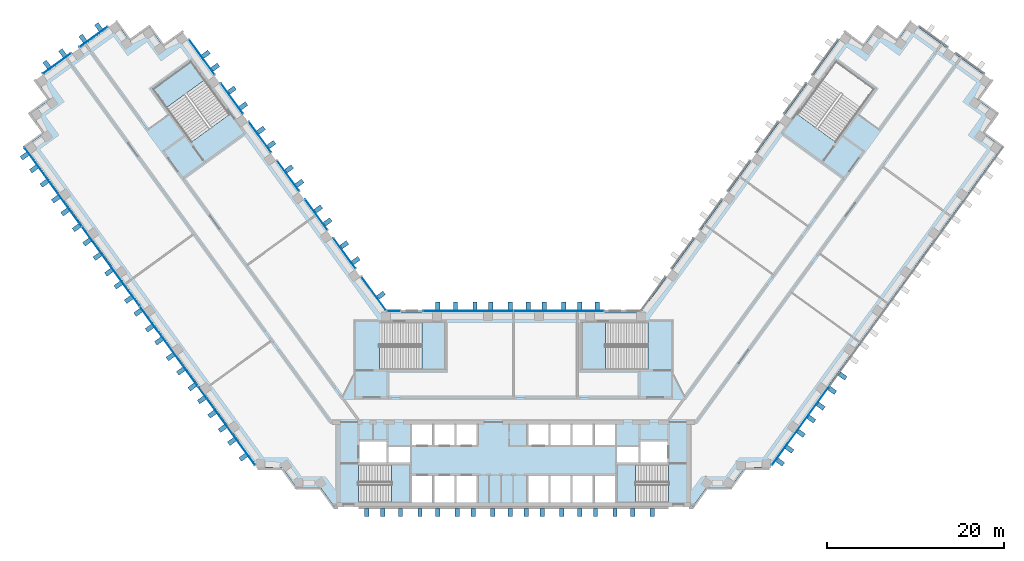
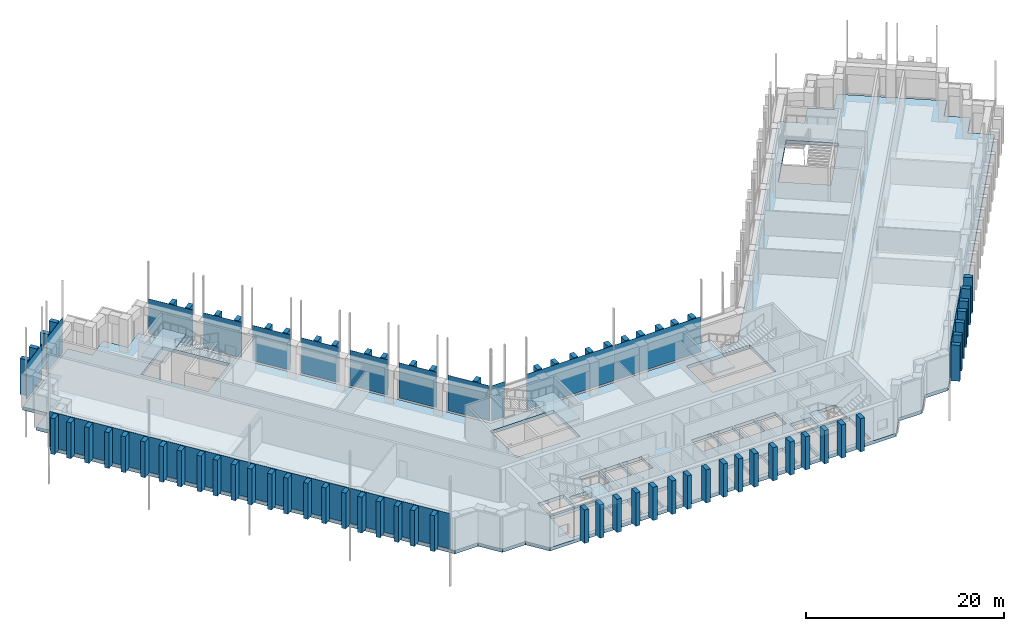
# One storey, part 7 of 18: 90 plates, 6 slabs, 18 elements without a shape of their own.
"""IFC4 building model written with IfcOpenShell, lengths in metres."""

from ifc_helpers import new_model, si_unit, direction, frame, origin, origin_2d, place, context, subcontext, project, spatial, polyline, rectangle, outline, extrude, material, layer, layer_set, type_object, element, aggregate, save


model = new_model("IFC4")

# Units and contexts
model_context = context("Model", 3, precision=1e-05, world=origin(), true_north=direction((0.0, 1.0)))
body_context = subcontext(model_context, "Body", "Model", "MODEL_VIEW")
ifc_project = project(units=[si_unit("LENGTHUNIT", "METRE"), si_unit("AREAUNIT", "SQUARE_METRE"), si_unit("VOLUMEUNIT", "CUBIC_METRE"), si_unit("PLANEANGLEUNIT", "RADIAN"), si_unit("MASSUNIT", "GRAM", prefix="KILO")], contexts=[model_context])

# Site, building, storey
site_placement = place(None, origin())
site = spatial("IfcSite", under=ifc_project, at=site_placement, CompositionType="ELEMENT")
building_placement = place(site_placement, origin())
building = spatial("IfcBuilding", under=site, at=building_placement, Name="Quipu Civic Tower", CompositionType="ELEMENT")
storey_placement = place(building_placement, frame((0.0, 0.0, 16.0)))
storey = spatial("IfcBuildingStorey", under=building, at=storey_placement, Name="L03", CompositionType="ELEMENT", Elevation=16.0)

# Slab
ifc_material_1 = material(Name="Concrete C40/50", Category="concrete")
ifc_layer_1 = layer(ifc_material_1, 0.39990234375)
ifc_layer_set_1 = layer_set([ifc_layer_1], Name="Concrete C40/50")
slab_type_1 = type_object("IfcSlabType", Name="Floor slab 400 C40/50", PredefinedType="FLOOR", material=ifc_layer_set_1)
slab_1_placement = place(storey_placement, frame((0.0, 0.0, -0.39990234375)))
element("IfcSlab", 1, at=slab_1_placement, inside=storey, type_object=slab_type_1, Name="Floor slab L03", PredefinedType="FLOOR", context=body_context, shape_type="SweptSolid", body=[
    extrude(outline(polyline([(37.31494140625, 42.550048828125), (39.5, 40.9599609375), (41.0849609375, 43.14501953125), (43.27001953125, 41.56005859375), (44.860107421875, 43.739990234375), (53.919921875, 37.159912109375), (52.3349609375, 34.97509765625), (54.514892578125, 33.389892578125), (52.929931640625, 31.205078125), (55.114990234375, 29.614990234375), (28.780029296875, -6.6298828125), (26.080078125, -6.6298828125), (24.489990234375, -8.81494140625), (21.7900390625, -8.81494140625), (20.205078125, -11.0), (-20.205078125, -11.0), (-21.7900390625, -8.81494140625), (-24.489990234375, -8.81494140625), (-26.080078125, -6.6298828125), (-28.780029296875, -6.6298828125), (-55.114990234375, 29.614990234375), (-52.929931640625, 31.205078125), (-54.514892578125, 33.389892578125), (-52.3349609375, 34.97509765625), (-53.919921875, 37.159912109375), (-44.860107421875, 43.739990234375), (-43.27001953125, 41.56005859375), (-41.0849609375, 43.14501953125), (-39.5, 40.9599609375), (-37.31494140625, 42.550048828125), (-14.39501953125, 11.0), (14.39501953125, 11.0), (37.31494140625, 42.550048828125)]), holes=[polyline([(-11.449951171875, -7.5), (-11.449951171875, -10.5), (-9.14990234375, -10.5), (-9.14990234375, -7.5), (-11.449951171875, -7.5)]), polyline([(-6.64990234375, -7.5), (-8.949951171875, -7.5), (-8.949951171875, -10.5), (-6.64990234375, -10.5), (-6.64990234375, -7.5)]), polyline([(-4.14990234375, -7.5), (-6.449951171875, -7.5), (-6.449951171875, -10.5), (-4.14990234375, -10.5), (-4.14990234375, -7.5)]), polyline([(1.64990234375, -7.5), (1.64990234375, -10.5), (3.949951171875, -10.5), (3.949951171875, -7.5), (1.64990234375, -7.5)]), polyline([(-11.705078125, -10.4951171875), (-11.705078125, -6.2548828125), (-17.4951171875, -6.2548828125), (-17.4951171875, -10.4951171875), (-11.705078125, -10.4951171875)]), polyline([(-11.699951171875, -4.25), (-14.10009765625, -4.25), (-14.10009765625, -6.0), (-11.699951171875, -6.0), (-11.699951171875, -4.25)]), polyline([(-17.35009765625, -3.60009765625), (-17.35009765625, -6.0), (-14.35009765625, -6.0), (-14.35009765625, -3.60009765625), (-17.35009765625, -3.60009765625)]), polyline([(-9.14990234375, -1.699951171875), (-11.449951171875, -1.699951171875), (-11.449951171875, -4.0), (-9.14990234375, -4.0), (-9.14990234375, -1.699951171875)]), polyline([(-6.64990234375, -1.699951171875), (-8.949951171875, -1.699951171875), (-8.949951171875, -4.0), (-6.64990234375, -4.0), (-6.64990234375, -1.699951171875)]), polyline([(-6.449951171875, -1.699951171875), (-6.449951171875, -4.0), (-4.14990234375, -4.0), (-4.14990234375, -1.699951171875), (-6.449951171875, -1.699951171875)]), polyline([(-7.7548828125, 4.5048828125), (-7.7548828125, 9.844970703125), (-15.14501953125, 9.844970703125), (-15.14501953125, 4.5048828125), (-7.7548828125, 4.5048828125)]), polyline([(-36.364990234375, 39.27490234375), (-40.68505859375, 36.135009765625), (-36.344970703125, 30.159912109375), (-32.02490234375, 33.300048828125), (-36.364990234375, 39.27490234375)]), polyline([(4.14990234375, -7.5), (4.14990234375, -10.5), (6.449951171875, -10.5), (6.449951171875, -7.5), (4.14990234375, -7.5)]), polyline([(8.949951171875, -7.5), (6.64990234375, -7.5), (6.64990234375, -10.5), (8.949951171875, -10.5), (8.949951171875, -7.5)]), polyline([(11.449951171875, -7.5), (9.14990234375, -7.5), (9.14990234375, -10.5), (11.449951171875, -10.5), (11.449951171875, -7.5)]), polyline([(11.705078125, -10.4951171875), (17.4951171875, -10.4951171875), (17.4951171875, -6.2548828125), (11.705078125, -6.2548828125), (11.705078125, -10.4951171875)]), polyline([(14.10009765625, -4.25), (11.699951171875, -4.25), (11.699951171875, -6.0), (14.10009765625, -6.0), (14.10009765625, -4.25)]), polyline([(17.35009765625, -3.60009765625), (14.35009765625, -3.60009765625), (14.35009765625, -6.0), (17.35009765625, -6.0), (17.35009765625, -3.60009765625)]), polyline([(1.64990234375, -1.699951171875), (1.64990234375, -4.0), (3.949951171875, -4.0), (3.949951171875, -1.699951171875), (1.64990234375, -1.699951171875)]), polyline([(6.449951171875, -1.699951171875), (4.14990234375, -1.699951171875), (4.14990234375, -4.0), (6.449951171875, -4.0), (6.449951171875, -1.699951171875)]), polyline([(8.949951171875, -1.699951171875), (6.64990234375, -1.699951171875), (6.64990234375, -4.0), (8.949951171875, -4.0), (8.949951171875, -1.699951171875)]), polyline([(9.14990234375, -1.699951171875), (9.14990234375, -4.0), (11.449951171875, -4.0), (11.449951171875, -1.699951171875), (9.14990234375, -1.699951171875)]), polyline([(7.7548828125, 9.844970703125), (7.7548828125, 4.5048828125), (15.14501953125, 4.5048828125), (15.14501953125, 9.844970703125), (7.7548828125, 9.844970703125)]), polyline([(40.68505859375, 36.135009765625), (36.364990234375, 39.27490234375), (32.02490234375, 33.300048828125), (36.344970703125, 30.159912109375), (40.68505859375, 36.135009765625)])]), origin(), (0.0, 0.0, 1.0), 0.39990234375),
])

# Curtain wall, plate
ifc_material_2 = material(Name="Insulated glass unit", Category="glass")
curtain_wall_type = type_object("IfcCurtainWallType", Name="Public services curtain wall CW3", PredefinedType="NOTDEFINED", material=ifc_material_2)
curtain_wall_1_placement = place(storey_placement, origin())
curtain_wall_1 = element("IfcCurtainWall", 2, at=curtain_wall_1_placement, inside=storey, type_object=curtain_wall_type, Name="Public services curtain wall CW3 L02 run 1", PredefinedType="NOTDEFINED")
ifc_material_3 = material(Name="Insulated glass unit", Category="glass")
ifc_layer_2 = layer(ifc_material_3, 0.031982421875)
ifc_layer_set_2 = layer_set([ifc_layer_2], Name="Insulated glass unit")
plate_type_1 = type_object("IfcPlateType", Name="Glass panel CW3", PredefinedType="CURTAIN_PANEL", material=ifc_layer_set_2)
plate_1_placement = place(storey_placement, frame((-15.769287109375, 13.0615234375, 0.14013671875), z_axis=(0.0, 0.0, 1.0), x_axis=(-0.587795194797, 0.809009770629, 0.0)))
plate_1 = element("IfcPlate", 3, at=plate_1_placement, type_object=plate_type_1, Name="CW3 panel 1.2", PredefinedType="CURTAIN_PANEL", context=body_context, shape_type="SweptSolid", body=[
    extrude(rectangle(XDim=4.649169921875, YDim=0.031982421875, at=origin_2d()), origin(), (0.0, 0.0, 1.0), 4.360107421875),
])
aggregate(curtain_wall_1, [plate_1])

curtain_wall_2_placement = place(storey_placement, origin())
curtain_wall_2 = element("IfcCurtainWall", 4, at=curtain_wall_2_placement, inside=storey, type_object=curtain_wall_type, Name="Public services curtain wall CW3 L02 run 2", PredefinedType="NOTDEFINED")
plate_2_placement = place(storey_placement, frame((-19.075439453125, 17.61181640625, 0.14013671875), z_axis=(0.0, 0.0, 1.0), x_axis=(-0.587800011079, 0.809006271283, 0.0)))
plate_2 = element("IfcPlate", 5, at=plate_2_placement, type_object=plate_type_1, Name="CW3 panel 1.2", PredefinedType="CURTAIN_PANEL", context=body_context, shape_type="SweptSolid", body=[
    extrude(rectangle(XDim=4.199951171875, YDim=0.031982421875, at=origin_2d()), origin(), (0.0, 0.0, 1.0), 4.360107421875),
])
aggregate(curtain_wall_2, [plate_2])

curtain_wall_3_placement = place(storey_placement, origin())
curtain_wall_3 = element("IfcCurtainWall", 6, at=curtain_wall_3_placement, inside=storey, type_object=curtain_wall_type, Name="Public services curtain wall CW3 L02 run 3", PredefinedType="NOTDEFINED")
plate_3_placement = place(storey_placement, frame((-22.24951171875, 21.98046875, 0.14013671875), z_axis=(0.0, 0.0, 1.0), x_axis=(-0.587774328321, 0.809024930992, 0.0)))
plate_3 = element("IfcPlate", 7, at=plate_3_placement, type_object=plate_type_1, Name="CW3 panel 1.2", PredefinedType="CURTAIN_PANEL", context=body_context, shape_type="SweptSolid", body=[
    extrude(rectangle(XDim=4.199951171875, YDim=0.031982421875, at=origin_2d()), origin(), (0.0, 0.0, 1.0), 4.360107421875),
])
aggregate(curtain_wall_3, [plate_3])

curtain_wall_4_placement = place(storey_placement, origin())
curtain_wall_4 = element("IfcCurtainWall", 8, at=curtain_wall_4_placement, inside=storey, type_object=curtain_wall_type, Name="Public services curtain wall CW3 L02 run 4", PredefinedType="NOTDEFINED")
plate_4_placement = place(storey_placement, frame((-25.42333984375, 26.349365234375, 0.14013671875), z_axis=(0.0, 0.0, 1.0), x_axis=(-0.587789203544, 0.809014123608, 0.0)))
plate_4 = element("IfcPlate", 9, at=plate_4_placement, type_object=plate_type_1, Name="CW3 panel 1.2", PredefinedType="CURTAIN_PANEL", context=body_context, shape_type="SweptSolid", body=[
    extrude(rectangle(XDim=4.199951171875, YDim=0.031982421875, at=origin_2d()), origin(), (0.0, 0.0, 1.0), 4.360107421875),
])
aggregate(curtain_wall_4, [plate_4])

curtain_wall_5_placement = place(storey_placement, origin())
curtain_wall_5 = element("IfcCurtainWall", 10, at=curtain_wall_5_placement, inside=storey, type_object=curtain_wall_type, Name="Public services curtain wall CW3 L02 run 5", PredefinedType="NOTDEFINED")
plate_5_placement = place(storey_placement, frame((-28.597412109375, 30.718017578125, 0.14013671875), z_axis=(0.0, 0.0, 1.0), x_axis=(-0.587785135859, 0.809017078969, 0.0)))
plate_5 = element("IfcPlate", 11, at=plate_5_placement, type_object=plate_type_1, Name="CW3 panel 1.2", PredefinedType="CURTAIN_PANEL", context=body_context, shape_type="SweptSolid", body=[
    extrude(rectangle(XDim=4.199951171875, YDim=0.031982421875, at=origin_2d()), origin(), (0.0, 0.0, 1.0), 4.360107421875),
])
aggregate(curtain_wall_5, [plate_5])

curtain_wall_6_placement = place(storey_placement, origin())
curtain_wall_6 = element("IfcCurtainWall", 12, at=curtain_wall_6_placement, inside=storey, type_object=curtain_wall_type, Name="Public services curtain wall CW3 L02 run 6", PredefinedType="NOTDEFINED")
plate_6_placement = place(storey_placement, frame((-31.771484375, 35.086669921875, 0.14013671875), z_axis=(0.0, 0.0, 1.0), x_axis=(-0.587789203544, 0.809014123608, 0.0)))
plate_6 = element("IfcPlate", 13, at=plate_6_placement, type_object=plate_type_1, Name="CW3 panel 1.2", PredefinedType="CURTAIN_PANEL", context=body_context, shape_type="SweptSolid", body=[
    extrude(rectangle(XDim=4.199951171875, YDim=0.031982421875, at=origin_2d()), origin(), (0.0, 0.0, 1.0), 4.360107421875),
])
aggregate(curtain_wall_6, [plate_6])

curtain_wall_7_placement = place(storey_placement, origin())
curtain_wall_7 = element("IfcCurtainWall", 14, at=curtain_wall_7_placement, inside=storey, type_object=curtain_wall_type, Name="Public services curtain wall CW3 L02 run 7", PredefinedType="NOTDEFINED")
plate_7_placement = place(storey_placement, frame((-35.149658203125, 39.736328125, 0.14013671875), z_axis=(0.0, 0.0, 1.0), x_axis=(-0.587782980465, 0.809018644949, 0.0)))
plate_7 = element("IfcPlate", 15, at=plate_7_placement, type_object=plate_type_1, Name="CW3 panel 1.2", PredefinedType="CURTAIN_PANEL", context=body_context, shape_type="SweptSolid", body=[
    extrude(rectangle(XDim=4.89453125, YDim=0.031982421875, at=origin_2d()), origin(), (0.0, 0.0, 1.0), 4.360107421875),
])
aggregate(curtain_wall_7, [plate_7])

curtain_wall_8_placement = place(storey_placement, origin())
curtain_wall_8 = element("IfcCurtainWall", 16, at=curtain_wall_8_placement, inside=storey, type_object=curtain_wall_type, Name="Public services curtain wall CW3 L02 run 12", PredefinedType="NOTDEFINED")
plate_8_placement = place(storey_placement, frame((-47.385009765625, 42.03076171875, 0.14013671875), z_axis=(0.0, 0.0, 1.0), x_axis=(-0.809030241342, -0.587767018974, 0.0)))
plate_8 = element("IfcPlate", 17, at=plate_8_placement, type_object=plate_type_1, Name="CW3 panel 1.2", PredefinedType="CURTAIN_PANEL", context=body_context, shape_type="SweptSolid", body=[
    extrude(rectangle(XDim=3.900146484375, YDim=0.031982421875, at=origin_2d()), origin(), (0.0, 0.0, 1.0), 4.360107421875),
])
aggregate(curtain_wall_8, [plate_8])

curtain_wall_9_placement = place(storey_placement, origin())
curtain_wall_9 = element("IfcCurtainWall", 18, at=curtain_wall_9_placement, inside=storey, type_object=curtain_wall_type, Name="Public services curtain wall CW3 L02 run 13", PredefinedType="NOTDEFINED")
plate_9_placement = place(storey_placement, frame((-51.51025390625, 39.033447265625, 0.14013671875), z_axis=(0.0, 0.0, 1.0), x_axis=(-0.809014568883, -0.587788590681, 0.0)))
plate_9 = element("IfcPlate", 19, at=plate_9_placement, type_object=plate_type_1, Name="CW3 panel 1.2", PredefinedType="CURTAIN_PANEL", context=body_context, shape_type="SweptSolid", body=[
    extrude(rectangle(XDim=3.898193359375, YDim=0.031982421875, at=origin_2d()), origin(), (0.0, 0.0, 1.0), 4.360107421875),
])
aggregate(curtain_wall_9, [plate_9])

# Curtain wall, plates
curtain_wall_10_placement = place(storey_placement, origin())
curtain_wall_10 = element("IfcCurtainWall", 20, at=curtain_wall_10_placement, inside=storey, type_object=curtain_wall_type, Name="Public services curtain wall CW3 L02 run 18", PredefinedType="NOTDEFINED")
plate_10_placement = place(storey_placement, frame((-51.970947265625, 25.11962890625, 0.14013671875), z_axis=(0.0, 0.0, 1.0), x_axis=(0.587785356329, -0.809016918788, 0.0)))
plate_10 = element("IfcPlate", 21, at=plate_10_placement, type_object=plate_type_1, Name="CW3 panel 1.2", PredefinedType="CURTAIN_PANEL", context=body_context, shape_type="SweptSolid", body=[
    extrude(rectangle(XDim=10.971435546875, YDim=0.031982421875, at=origin_2d()), origin(), (0.0, 0.0, 1.0), 4.360107421875),
])
plate_11_placement = place(storey_placement, frame((-45.448486328125, 16.142333984375, 0.14013671875), z_axis=(0.0, 0.0, 1.0), x_axis=(0.587785356329, -0.809016918788, 0.0)))
plate_11 = element("IfcPlate", 22, at=plate_11_placement, type_object=plate_type_1, Name="CW3 panel 2.2", PredefinedType="CURTAIN_PANEL", context=body_context, shape_type="SweptSolid", body=[
    extrude(rectangle(XDim=11.021484375, YDim=0.031982421875, at=origin_2d()), origin(), (0.0, 0.0, 1.0), 4.360107421875),
])
plate_12_placement = place(storey_placement, frame((-38.911376953125, 7.14501953125, 0.14013671875), z_axis=(0.0, 0.0, 1.0), x_axis=(0.587785356329, -0.809016918788, 0.0)))
plate_12 = element("IfcPlate", 23, at=plate_12_placement, type_object=plate_type_1, Name="CW3 panel 3.2", PredefinedType="CURTAIN_PANEL", context=body_context, shape_type="SweptSolid", body=[
    extrude(rectangle(XDim=11.021484375, YDim=0.031982421875, at=origin_2d()), origin(), (0.0, 0.0, 1.0), 4.360107421875),
])
plate_13_placement = place(storey_placement, frame((-32.38916015625, -1.832275390625, 0.14013671875), z_axis=(0.0, 0.0, 1.0), x_axis=(0.587785356329, -0.809016918788, 0.0)))
plate_13 = element("IfcPlate", 24, at=plate_13_placement, type_object=plate_type_1, Name="CW3 panel 4.2", PredefinedType="CURTAIN_PANEL", context=body_context, shape_type="SweptSolid", body=[
    extrude(rectangle(XDim=10.971435546875, YDim=0.031982421875, at=origin_2d()), origin(), (0.0, 0.0, 1.0), 4.360107421875),
])
aggregate(curtain_wall_10, [plate_10, plate_11, plate_12, plate_13])

# Curtain wall, plate
curtain_wall_11_placement = place(storey_placement, origin())
curtain_wall_11 = element("IfcCurtainWall", 25, at=curtain_wall_11_placement, inside=storey, type_object=curtain_wall_type, Name="Public services curtain wall CW3 L02 run 32", PredefinedType="NOTDEFINED")
plate_14_placement = place(storey_placement, frame((32.38916015625, -1.832275390625, 0.14013671875), z_axis=(0.0, 0.0, 1.0), x_axis=(0.587785356329, 0.809016918788, 0.0)))
plate_14 = element("IfcPlate", 26, at=plate_14_placement, type_object=plate_type_1, Name="CW3 panel 1.2", PredefinedType="CURTAIN_PANEL", context=body_context, shape_type="SweptSolid", body=[
    extrude(rectangle(XDim=10.971435546875, YDim=0.031982421875, at=origin_2d()), origin(), (0.0, 0.0, 1.0), 4.360107421875),
])
aggregate(curtain_wall_11, [plate_14])

# Curtain wall, plates
curtain_wall_12_placement = place(storey_placement, origin())
curtain_wall_12 = element("IfcCurtainWall", 27, at=curtain_wall_12_placement, inside=storey, type_object=curtain_wall_type, Name="Public services curtain wall CW3 L02 run 52", PredefinedType="NOTDEFINED")
plate_15_placement = place(storey_placement, frame((5.106689453125, 11.10009765625, 0.14013671875), z_axis=(0.0, 0.0, 1.0), x_axis=(-1.0, 0.0, 0.0)))
plate_15 = element("IfcPlate", 28, at=plate_15_placement, type_object=plate_type_1, Name="CW3 panel 1.2", PredefinedType="CURTAIN_PANEL", context=body_context, shape_type="SweptSolid", body=[
    extrude(rectangle(XDim=10.113525390625, YDim=0.031982421875, at=origin_2d()), origin(), (0.0, 0.0, 1.0), 4.360107421875),
])
plate_16_placement = place(storey_placement, frame((-5.106689453125, 11.10009765625, 0.14013671875), z_axis=(0.0, 0.0, 1.0), x_axis=(-1.0, 0.0, 0.0)))
plate_16 = element("IfcPlate", 29, at=plate_16_placement, type_object=plate_type_1, Name="CW3 panel 2.2", PredefinedType="CURTAIN_PANEL", context=body_context, shape_type="SweptSolid", body=[
    extrude(rectangle(XDim=10.113525390625, YDim=0.031982421875, at=origin_2d()), origin(), (0.0, 0.0, 1.0), 4.360107421875),
])
aggregate(curtain_wall_12, [plate_15, plate_16])

# Curtain wall, plate
curtain_wall_13_placement = place(storey_placement, origin())
curtain_wall_13 = element("IfcCurtainWall", 30, at=curtain_wall_13_placement, inside=storey, type_object=curtain_wall_type, Name="Public services curtain wall CW3 L02 run 54", PredefinedType="NOTDEFINED")
plate_17_placement = place(storey_placement, frame((-13.49951171875, 11.10009765625, 0.14013671875), z_axis=(0.0, 0.0, 1.0), x_axis=(-1.0, 0.0, 0.0)))
plate_17 = element("IfcPlate", 31, at=plate_17_placement, type_object=plate_type_1, Name="CW3 panel 1.2", PredefinedType="CURTAIN_PANEL", context=body_context, shape_type="SweptSolid", body=[
    extrude(rectangle(XDim=1.4892578125, YDim=0.031982421875, at=origin_2d()), origin(), (0.0, 0.0, 1.0), 4.360107421875),
])
aggregate(curtain_wall_13, [plate_17])

# Plates
ifc_material_4 = material(Name="Precast concrete C40/50", Category="concrete")
plate_type_2 = type_object("IfcPlateType", Name="Precast fin F0", PredefinedType="SHEET", material=ifc_material_4)
for number, where, z_axis, x_axis, name in (
    (32, (-14.956787109375, 12.878662109375, 0.06982421875), (0.0, 0.0, 1.0), (-0.587784944053, 0.809017218324, 0.0), "Precast fin F0 L03.P01.1"),
    (33, (-17.802734375, 16.7958984375, 0.06982421875), (0.0, 0.0, 1.0), (-0.587784944053, 0.809017218324, 0.0), "Precast fin F0 L03.P02.1"),
    (34, (-19.095703125, 18.57568359375, 0.06982421875), (0.0, 0.0, 1.0), (-0.587784944053, 0.809017218324, 0.0), "Precast fin F0 L03.P02.2"),
    (35, (-20.97265625, 21.158935546875, 0.06982421875), (0.0, 0.0, 1.0), (-0.587784944053, 0.809017218324, 0.0), "Precast fin F0 L03.P03.1"),
    (36, (-22.03076171875, 22.615234375, 0.06982421875), (0.0, 0.0, 1.0), (-0.587784944053, 0.809017218324, 0.0), "Precast fin F0 L03.P03.2"),
    (37, (-24.142822265625, 25.522216796875, 0.06982421875), (0.0, 0.0, 1.0), (-0.587784944053, 0.809017218324, 0.0), "Precast fin F0 L03.P04.1"),
    (38, (-25.318359375, 27.14013671875, 0.06982421875), (0.0, 0.0, 1.0), (-0.587784944053, 0.809017218324, 0.0), "Precast fin F0 L03.P04.2"),
    (39, (-27.312744140625, 29.885498046875, 0.06982421875), (0.0, 0.0, 1.0), (-0.587784944053, 0.809017218324, 0.0), "Precast fin F0 L03.P05.1"),
    (40, (-28.488525390625, 31.50341796875, 0.06982421875), (0.0, 0.0, 1.0), (-0.587784944053, 0.809017218324, 0.0), "Precast fin F0 L03.P05.2"),
    (41, (-30.48291015625, 34.24853515625, 0.06982421875), (0.0, 0.0, 1.0), (-0.587784944053, 0.809017218324, 0.0), "Precast fin F0 L03.P06.1"),
    (42, (-31.77587890625, 36.028564453125, 0.06982421875), (0.0, 0.0, 1.0), (-0.587784944053, 0.809017218324, 0.0), "Precast fin F0 L03.P06.2"),
    (43, (-33.65283203125, 38.61181640625, 0.06982421875), (0.0, 0.0, 1.0), (-0.587784944053, 0.809017218324, 0.0), "Precast fin F0 L03.P07.1"),
    (44, (-34.7109375, 40.068115234375, 0.06982421875), (0.0, 0.0, 1.0), (-0.587784944053, 0.809017218324, 0.0), "Precast fin F0 L03.P07.2"),
    (45, (-46.802734375, 43.133544921875, 0.06982421875), (0.0, 0.0, 1.0), (-0.809021318545, -0.587779300537, 0.0), "Precast fin F0 L03.P12.1"),
    (46, (-48.58251953125, 41.84033203125, 0.06982421875), (0.0, 0.0, 1.0), (-0.809021318545, -0.587779300537, 0.0), "Precast fin F0 L03.P12.2"),
    (47, (-50.8564453125, 40.1884765625, 0.06982421875), (0.0, 0.0, 1.0), (-0.809021318545, -0.587779300537, 0.0), "Precast fin F0 L03.P13.1"),
    (48, (-52.63623046875, 38.895263671875, 0.06982421875), (0.0, 0.0, 1.0), (-0.809021318545, -0.587779300537, 0.0), "Precast fin F0 L03.P13.2"),
    (49, (-55.169921875, 28.587158203125, 0.06982421875), (0.0, 0.0, 1.0), (0.587785716149, -0.809016657363, 0.0), "Precast fin F0 L03.P18.1"),
    (50, (-54.112060546875, 27.131103515625, 0.06982421875), (0.0, 0.0, 1.0), (0.587785716149, -0.809016657363, 0.0), "Precast fin F0 L03.P18.2"),
    (51, (-52.9365234375, 25.512939453125, 0.06982421875), (0.0, 0.0, 1.0), (0.587785716149, -0.809016657363, 0.0), "Precast fin F0 L03.P18.3"),
    (52, (-51.643310546875, 23.733154296875, 0.06982421875), (0.0, 0.0, 1.0), (0.587785716149, -0.809016657363, 0.0), "Precast fin F0 L03.P18.4"),
    (53, (-50.585205078125, 22.27685546875, 0.06982421875), (0.0, 0.0, 1.0), (0.587785716149, -0.809016657363, 0.0), "Precast fin F0 L03.P18.5"),
    (54, (-49.292236328125, 20.4970703125, 0.06982421875), (0.0, 0.0, 1.0), (0.587785716149, -0.809016657363, 0.0), "Precast fin F0 L03.P18.6"),
    (55, (-48.11669921875, 18.87890625, 0.06982421875), (0.0, 0.0, 1.0), (0.587785716149, -0.809016657363, 0.0), "Precast fin F0 L03.P18.7"),
    (56, (-46.94091796875, 17.260986328125, 0.06982421875), (0.0, 0.0, 1.0), (0.587785716149, -0.809016657363, 0.0), "Precast fin F0 L03.P18.8"),
    (57, (-45.64794921875, 15.481201171875, 0.06982421875), (0.0, 0.0, 1.0), (0.587785716149, -0.809016657363, 0.0), "Precast fin F0 L03.P18.9"),
    (58, (-44.58984375, 14.02490234375, 0.06982421875), (0.0, 0.0, 1.0), (0.587785716149, -0.809016657363, 0.0), "Precast fin F0 L03.P18.10"),
    (59, (-43.414306640625, 12.406982421875, 0.06982421875), (0.0, 0.0, 1.0), (0.587785716149, -0.809016657363, 0.0), "Precast fin F0 L03.P18.11"),
    (60, (-42.356201171875, 10.95068359375, 0.06982421875), (0.0, 0.0, 1.0), (0.587785716149, -0.809016657363, 0.0), "Precast fin F0 L03.P18.12"),
    (61, (-41.063232421875, 9.1708984375, 0.06982421875), (0.0, 0.0, 1.0), (0.587785716149, -0.809016657363, 0.0), "Precast fin F0 L03.P18.13"),
    (62, (-40.005126953125, 7.714599609375, 0.06982421875), (0.0, 0.0, 1.0), (0.587785716149, -0.809016657363, 0.0), "Precast fin F0 L03.P18.14"),
    (63, (-38.7119140625, 5.934814453125, 0.06982421875), (0.0, 0.0, 1.0), (0.587785716149, -0.809016657363, 0.0), "Precast fin F0 L03.P18.15"),
    (64, (-37.536376953125, 4.316650390625, 0.06982421875), (0.0, 0.0, 1.0), (0.587785716149, -0.809016657363, 0.0), "Precast fin F0 L03.P18.16"),
    (65, (-36.243408203125, 2.536865234375, 0.06982421875), (0.0, 0.0, 1.0), (0.587785716149, -0.809016657363, 0.0), "Precast fin F0 L03.P18.17"),
    (66, (-35.185302734375, 1.08056640625, 0.06982421875), (0.0, 0.0, 1.0), (0.587785716149, -0.809016657363, 0.0), "Precast fin F0 L03.P18.18"),
    (67, (-34.009765625, -0.537353515625, 0.06982421875), (0.0, 0.0, 1.0), (0.587785716149, -0.809016657363, 0.0), "Precast fin F0 L03.P18.19"),
    (68, (-32.834228515625, -2.155517578125, 0.06982421875), (0.0, 0.0, 1.0), (0.587785716149, -0.809016657363, 0.0), "Precast fin F0 L03.P18.20"),
    (69, (-31.776123046875, -3.611572265625, 0.06982421875), (0.0, 0.0, 1.0), (0.587785716149, -0.809016657363, 0.0), "Precast fin F0 L03.P18.21"),
    (70, (-30.48291015625, -5.391357421875, 0.06982421875), (0.0, 0.0, 1.0), (0.587785716149, -0.809016657363, 0.0), "Precast fin F0 L03.P18.22"),
):
    element("IfcPlate", number, at=place(storey_placement, frame(where, z_axis=z_axis, x_axis=x_axis)), inside=storey, type_object=plate_type_2, Name=name, PredefinedType="SHEET", context=body_context, shape_type="SweptSolid", body=[
        extrude(rectangle(XDim=0.5, YDim=0.89990234375, at=origin_2d()), origin(), (0.0, 0.0, 1.0), 4.429931640625),
    ])
for number, where, z_axis, x_axis, name in (
    (71, (-16.550048828125, -11.637939453125, 0.0), (0.0, 0.0, 1.0), (1.0, 0.0, 0.0), "Precast fin F0 L03.P26.1"),
    (72, (-14.75, -11.637939453125, 0.0), (0.0, 0.0, 1.0), (1.0, 0.0, 0.0), "Precast fin F0 L03.P26.2"),
    (73, (-12.75, -11.637939453125, 0.0), (0.0, 0.0, 1.0), (1.0, 0.0, 0.0), "Precast fin F0 L03.P26.3"),
    (74, (-10.550048828125, -11.637939453125, 0.0), (0.0, 0.0, 1.0), (1.0, 0.0, 0.0), "Precast fin F0 L03.P26.4"),
    (75, (-8.550048828125, -11.637939453125, 0.0), (0.0, 0.0, 1.0), (1.0, 0.0, 0.0), "Precast fin F0 L03.P26.5"),
    (76, (-6.35009765625, -11.637939453125, 0.0), (0.0, 0.0, 1.0), (1.0, 0.0, 0.0), "Precast fin F0 L03.P26.6"),
    (77, (-4.550048828125, -11.637939453125, 0.0), (0.0, 0.0, 1.0), (1.0, 0.0, 0.0), "Precast fin F0 L03.P26.7"),
    (78, (-2.35009765625, -11.637939453125, 0.0), (0.0, 0.0, 1.0), (1.0, 0.0, 0.0), "Precast fin F0 L03.P26.8"),
    (79, (-0.35009765625, -11.637939453125, 0.0), (0.0, 0.0, 1.0), (1.0, 0.0, 0.0), "Precast fin F0 L03.P26.9"),
    (80, (1.449951171875, -11.637939453125, 0.0), (0.0, 0.0, 1.0), (1.0, 0.0, 0.0), "Precast fin F0 L03.P26.10"),
    (81, (3.25, -11.637939453125, 0.0), (0.0, 0.0, 1.0), (1.0, 0.0, 0.0), "Precast fin F0 L03.P26.11"),
    (82, (5.449951171875, -11.637939453125, 0.0), (0.0, 0.0, 1.0), (1.0, 0.0, 0.0), "Precast fin F0 L03.P26.12"),
    (83, (7.449951171875, -11.637939453125, 0.0), (0.0, 0.0, 1.0), (1.0, 0.0, 0.0), "Precast fin F0 L03.P26.13"),
    (84, (9.25, -11.637939453125, 0.0), (0.0, 0.0, 1.0), (1.0, 0.0, 0.0), "Precast fin F0 L03.P26.14"),
    (85, (11.449951171875, -11.637939453125, 0.0), (0.0, 0.0, 1.0), (1.0, 0.0, 0.0), "Precast fin F0 L03.P26.15"),
    (86, (13.449951171875, -11.637939453125, 0.0), (0.0, 0.0, 1.0), (1.0, 0.0, 0.0), "Precast fin F0 L03.P26.16"),
    (87, (15.64990234375, -11.637939453125, 0.0), (0.0, 0.0, 1.0), (1.0, 0.0, 0.0), "Precast fin F0 L03.P26.17"),
):
    element("IfcPlate", number, at=place(storey_placement, frame(where, z_axis=z_axis, x_axis=x_axis)), inside=storey, type_object=plate_type_2, Name=name, PredefinedType="SHEET", context=body_context, shape_type="SweptSolid", body=[
        extrude(rectangle(XDim=0.5, YDim=0.89990234375, at=origin_2d()), origin(), (0.0, 0.0, 1.0), 4.10009765625),
    ])
for number, where, z_axis, x_axis, name in (
    (88, (30.079345703125, -5.947021484375, 0.06982421875), (0.0, 0.0, 1.0), (0.587785716149, 0.809016657363, 0.0), "Precast fin F0 L03.P33.1"),
    (89, (31.137451171875, -4.49072265625, 0.06982421875), (0.0, 0.0, 1.0), (0.587785716149, 0.809016657363, 0.0), "Precast fin F0 L03.P33.2"),
    (90, (32.4306640625, -2.7109375, 0.06982421875), (0.0, 0.0, 1.0), (0.587785716149, 0.809016657363, 0.0), "Precast fin F0 L03.P33.3"),
    (91, (33.606201171875, -1.0927734375, 0.06982421875), (0.0, 0.0, 1.0), (0.587785716149, 0.809016657363, 0.0), "Precast fin F0 L03.P33.4"),
    (92, (34.6640625, 0.36328125, 0.06982421875), (0.0, 0.0, 1.0), (0.587785716149, 0.809016657363, 0.0), "Precast fin F0 L03.P33.5"),
    (93, (35.957275390625, 2.143310546875, 0.06982421875), (0.0, 0.0, 1.0), (0.587785716149, 0.809016657363, 0.0), "Precast fin F0 L03.P33.6"),
    (94, (37.1328125, 3.76123046875, 0.06982421875), (0.0, 0.0, 1.0), (0.587785716149, 0.809016657363, 0.0), "Precast fin F0 L03.P33.7"),
    (95, (9.449951171875, 11.64990234375, 0.06982421875), (0.0, 0.0, 1.0), (-1.0, 0.0, 0.0), "Precast fin F0 L03.P53.1"),
    (96, (7.449951171875, 11.64990234375, 0.06982421875), (0.0, 0.0, 1.0), (-1.0, 0.0, 0.0), "Precast fin F0 L03.P53.2"),
    (97, (5.64990234375, 11.64990234375, 0.06982421875), (0.0, 0.0, 1.0), (-1.0, 0.0, 0.0), "Precast fin F0 L03.P53.3"),
    (98, (3.449951171875, 11.64990234375, 0.06982421875), (0.0, 0.0, 1.0), (-1.0, 0.0, 0.0), "Precast fin F0 L03.P53.4"),
    (99, (1.64990234375, 11.64990234375, 0.06982421875), (0.0, 0.0, 1.0), (-1.0, 0.0, 0.0), "Precast fin F0 L03.P53.5"),
    (100, (-0.35009765625, 11.64990234375, 0.06982421875), (0.0, 0.0, 1.0), (-1.0, 0.0, 0.0), "Precast fin F0 L03.P53.6"),
    (101, (-2.550048828125, 11.64990234375, 0.06982421875), (0.0, 0.0, 1.0), (-1.0, 0.0, 0.0), "Precast fin F0 L03.P53.7"),
    (102, (-4.35009765625, 11.64990234375, 0.06982421875), (0.0, 0.0, 1.0), (-1.0, 0.0, 0.0), "Precast fin F0 L03.P53.8"),
    (103, (-6.550048828125, 11.64990234375, 0.06982421875), (0.0, 0.0, 1.0), (-1.0, 0.0, 0.0), "Precast fin F0 L03.P53.9"),
    (104, (-8.550048828125, 11.64990234375, 0.06982421875), (0.0, 0.0, 1.0), (-1.0, 0.0, 0.0), "Precast fin F0 L03.P53.10"),
):
    element("IfcPlate", number, at=place(storey_placement, frame(where, z_axis=z_axis, x_axis=x_axis)), inside=storey, type_object=plate_type_2, Name=name, PredefinedType="SHEET", context=body_context, shape_type="SweptSolid", body=[
        extrude(rectangle(XDim=0.5, YDim=0.89990234375, at=origin_2d()), origin(), (0.0, 0.0, 1.0), 4.429931640625),
    ])

# Stair, slab
ifc_material_5 = material(Name="Concrete C40/50", Category="concrete")
stair_type_1 = type_object("IfcStairType", Name="Half turn stair 2000", PredefinedType="HALF_TURN_STAIR", material=ifc_material_5)
stair_1_placement = place(storey_placement, origin())
stair_1 = element("IfcStair", 105, at=stair_1_placement, inside=storey, type_object=stair_type_1, Name="Exit stair 1", PredefinedType="HALF_TURN_STAIR")
ifc_material_6 = material(Name="Concrete C40/50", Category="concrete")
ifc_layer_3 = layer(ifc_material_6, 0.199951171875)
ifc_layer_set_3 = layer_set([ifc_layer_3], Name="Concrete C40/50")
slab_type_2 = type_object("IfcSlabType", Name="Stair landing 200", PredefinedType="LANDING", material=ifc_layer_set_3)
slab_2_placement = place(storey_placement, frame((0.0, 0.0, 2.050048828125)))
slab_2 = element("IfcSlab", 106, at=slab_2_placement, type_object=slab_type_2, Name="ST-1 landing 1", PredefinedType="LANDING", context=body_context, shape_type="SweptSolid", body=[
    extrude(outline(polyline([(-13.780029296875, -10.5), (-11.699951171875, -10.5), (-11.699951171875, -6.25), (-13.780029296875, -6.25), (-13.780029296875, -10.5)])), origin(), (0.0, 0.0, 1.0), 0.199951171875),
])
aggregate(stair_1, [slab_2])

stair_2_placement = place(storey_placement, origin())
stair_2 = element("IfcStair", 107, at=stair_2_placement, inside=storey, type_object=stair_type_1, Name="Exit stair 2", PredefinedType="HALF_TURN_STAIR")
slab_3_placement = place(storey_placement, frame((0.0, 0.0, 2.050048828125)))
slab_3 = element("IfcSlab", 108, at=slab_3_placement, type_object=slab_type_2, Name="ST-2 landing 1", PredefinedType="LANDING", context=body_context, shape_type="SweptSolid", body=[
    extrude(outline(polyline([(13.780029296875, -6.25), (11.699951171875, -6.25), (11.699951171875, -10.5), (13.780029296875, -10.5), (13.780029296875, -6.25)])), origin(), (0.0, 0.0, 1.0), 0.199951171875),
])
aggregate(stair_2, [slab_3])

ifc_material_7 = material(Name="Concrete C40/50", Category="concrete")
stair_type_2 = type_object("IfcStairType", Name="Half turn stair 2600", PredefinedType="HALF_TURN_STAIR", material=ifc_material_7)
stair_3_placement = place(storey_placement, origin())
stair_3 = element("IfcStair", 109, at=stair_3_placement, inside=storey, type_object=stair_type_2, Name="Exit stair 3", PredefinedType="HALF_TURN_STAIR")
slab_4_placement = place(storey_placement, frame((0.0, 0.0, 2.050048828125)))
slab_4 = element("IfcSlab", 110, at=slab_4_placement, type_object=slab_type_2, Name="ST-3 landing 1", PredefinedType="LANDING", context=body_context, shape_type="SweptSolid", body=[
    extrude(outline(polyline([(-10.35009765625, 4.5), (-7.75, 4.5), (-7.75, 9.85009765625), (-10.35009765625, 9.85009765625), (-10.35009765625, 4.5)])), origin(), (0.0, 0.0, 1.0), 0.199951171875),
])
aggregate(stair_3, [slab_4])

stair_4_placement = place(storey_placement, origin())
stair_4 = element("IfcStair", 111, at=stair_4_placement, inside=storey, type_object=stair_type_2, Name="Exit stair 4", PredefinedType="HALF_TURN_STAIR")
slab_5_placement = place(storey_placement, frame((0.0, 0.0, 2.050048828125)))
slab_5 = element("IfcSlab", 112, at=slab_5_placement, type_object=slab_type_2, Name="ST-4 landing 1", PredefinedType="LANDING", context=body_context, shape_type="SweptSolid", body=[
    extrude(outline(polyline([(10.35009765625, 9.85009765625), (7.75, 9.85009765625), (7.75, 4.5), (10.35009765625, 4.5), (10.35009765625, 9.85009765625)])), origin(), (0.0, 0.0, 1.0), 0.199951171875),
])
aggregate(stair_4, [slab_5])

stair_5_placement = place(storey_placement, origin())
stair_5 = element("IfcStair", 113, at=stair_5_placement, inside=storey, type_object=stair_type_2, Name="Exit stair 6", PredefinedType="HALF_TURN_STAIR")
slab_6_placement = place(storey_placement, frame((0.0, 0.0, 2.050048828125)))
slab_6 = element("IfcSlab", 114, at=slab_6_placement, type_object=slab_type_2, Name="ST-6 landing 1", PredefinedType="LANDING", context=body_context, shape_type="SweptSolid", body=[
    extrude(outline(polyline([(-34.837158203125, 37.179443359375), (-36.365478515625, 39.282958984375), (-40.69384765625, 36.138427734375), (-39.16552734375, 34.034912109375), (-34.837158203125, 37.179443359375)])), origin(), (0.0, 0.0, 1.0), 0.199951171875),
])
aggregate(stair_5, [slab_6])

save(model, "model.ifc")
